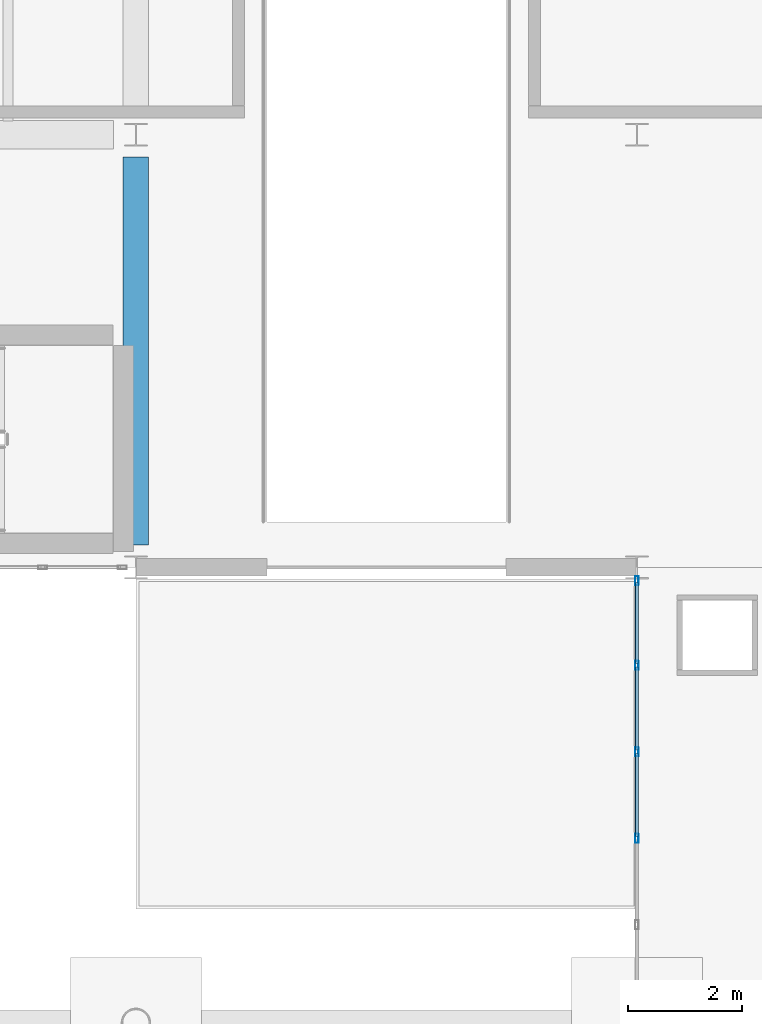
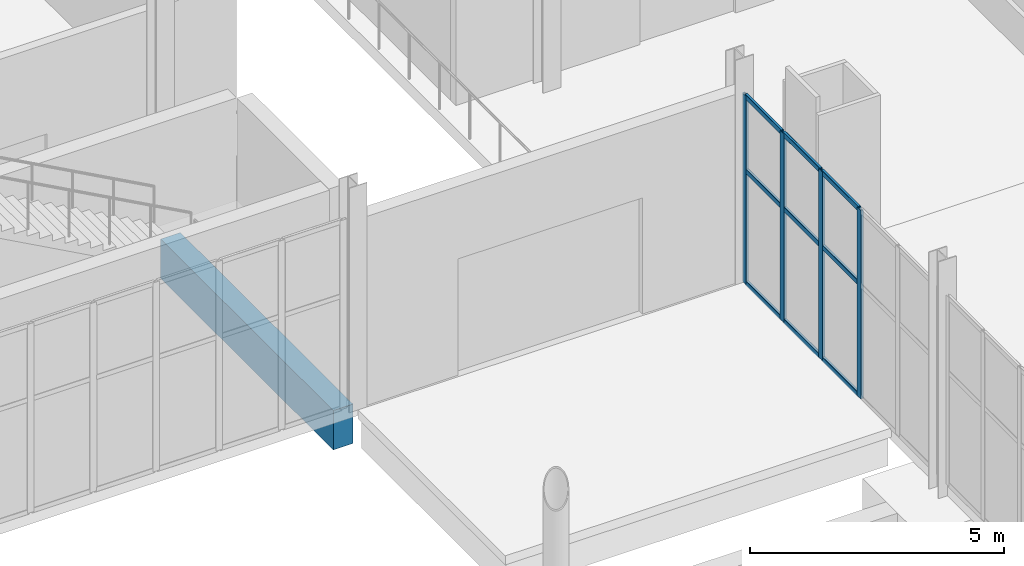
# One storey, part 58 of 95: 13 members, 1 beam, 1 element without a shape of its own.
"""IFC4 building model written with IfcOpenShell, lengths in metres."""

from ifc_helpers import new_model, si_unit, direction, frame, origin, origin_2d, place, context, subcontext, project, spatial, rectangle, hollow_rectangle, extrude, material, material_profile, profile_set, type_object, element, aggregate, save


model = new_model("IFC4")

# Units and contexts
model_context = context("Model", 3, precision=1e-05, world=origin(), true_north=direction((0.0, 1.0)))
body_context = subcontext(model_context, "Body", "Model", "MODEL_VIEW")
ifc_project = project(units=[si_unit("LENGTHUNIT", "METRE"), si_unit("AREAUNIT", "SQUARE_METRE"), si_unit("VOLUMEUNIT", "CUBIC_METRE"), si_unit("PLANEANGLEUNIT", "RADIAN"), si_unit("MASSUNIT", "GRAM", prefix="KILO")], contexts=[model_context])

# Site, building, storey
site_placement = place(None, origin())
site = spatial("IfcSite", under=ifc_project, at=site_placement, CompositionType="ELEMENT")
building_placement = place(site_placement, origin())
building = spatial("IfcBuilding", under=site, at=building_placement, Name="Shengluoqiao Park Theatre", CompositionType="ELEMENT")
storey_placement = place(building_placement, origin())
storey = spatial("IfcBuildingStorey", under=building, at=storey_placement, Name="L00", CompositionType="ELEMENT", Elevation=0.0)

# Curtain wall, members
ifc_material_1 = material(Name="Aluminium 6063-T6", Category="aluminium")
curtain_wall_type = type_object("IfcCurtainWallType", Name="ENV-CW-COURT", PredefinedType="NOTDEFINED", material=ifc_material_1)
curtain_wall_placement = place(storey_placement, origin())
curtain_wall = element("IfcCurtainWall", 1, at=curtain_wall_placement, inside=storey, type_object=curtain_wall_type, Name="L00 Curtain Wall CWX-L00-0177", PredefinedType="NOTDEFINED")
ifc_material_profile_1 = material_profile(ifc_material_1, hollow_rectangle(XDim=0.06005859375, YDim=0.159912109375, WallThickness=0.00390625, InnerFilletRadius=0.00390625, OuterFilletRadius=0.008056640625, at=origin_2d()), Name="ALU MULLION 160x60x4")
ifc_profile_set_1 = profile_set([ifc_material_profile_1], Name="Aluminium 6063-T6")
member_type_1 = type_object("IfcMemberType", Name="ENV-MUL-160", PredefinedType="MULLION", material=ifc_profile_set_1)
member_1_placement = place(storey_placement, frame((157.199951171875, 79.24072265625, 0.0), z_axis=(0.0, 0.0, 1.0), x_axis=(-1.0, 0.0, 0.0)))
member_1 = element("IfcMember", 2, at=member_1_placement, type_object=member_type_1, Name="CW-05 mullion 3", PredefinedType="MULLION", context=body_context, shape_type="SweptSolid", body=[
    extrude(hollow_rectangle(XDim=0.06005859375, YDim=0.159912109375, WallThickness=0.00390625, InnerFilletRadius=0.00390625, OuterFilletRadius=0.008056640625, at=origin_2d()), origin(), (0.0, 0.0, 1.0), 4.5419921875),
])
member_2_placement = place(storey_placement, frame((157.199951171875, 80.75927734375, 0.0), z_axis=(0.0, 0.0, 1.0), x_axis=(-1.0, 0.0, 0.0)))
member_2 = element("IfcMember", 3, at=member_2_placement, type_object=member_type_1, Name="CW-05 mullion 4", PredefinedType="MULLION", context=body_context, shape_type="SweptSolid", body=[
    extrude(hollow_rectangle(XDim=0.06005859375, YDim=0.159912109375, WallThickness=0.00390625, InnerFilletRadius=0.00390625, OuterFilletRadius=0.008056640625, at=origin_2d()), origin(), (0.0, 0.0, 1.0), 4.5419921875),
])
member_3_placement = place(storey_placement, frame((157.199951171875, 82.277587890625, 0.0), z_axis=(0.0, 0.0, 1.0), x_axis=(-1.0, 0.0, 0.0)))
member_3 = element("IfcMember", 4, at=member_3_placement, type_object=member_type_1, Name="CW-05 mullion 5", PredefinedType="MULLION", context=body_context, shape_type="SweptSolid", body=[
    extrude(hollow_rectangle(XDim=0.06005859375, YDim=0.159912109375, WallThickness=0.00390625, InnerFilletRadius=0.00390625, OuterFilletRadius=0.008056640625, at=origin_2d()), origin(), (0.0, 0.0, 1.0), 4.5419921875),
])
member_4_placement = place(storey_placement, frame((157.199951171875, 83.76611328125, 0.0), z_axis=(0.0, 0.0, 1.0), x_axis=(-1.0, 0.0, 0.0)))
member_4 = element("IfcMember", 5, at=member_4_placement, type_object=member_type_1, Name="CW-05 mullion 6", PredefinedType="MULLION", context=body_context, shape_type="SweptSolid", body=[
    extrude(hollow_rectangle(XDim=0.06005859375, YDim=0.159912109375, WallThickness=0.00390625, InnerFilletRadius=0.00390625, OuterFilletRadius=0.008056640625, at=origin_2d()), origin(), (0.0, 0.0, 1.0), 4.5419921875),
])
ifc_material_profile_2 = material_profile(ifc_material_1, hollow_rectangle(XDim=0.06005859375, YDim=0.1201171875, WallThickness=0.00390625, InnerFilletRadius=0.00390625, OuterFilletRadius=0.008056640625, at=origin_2d()), Name="ALU TRANSOM 120x60x4")
ifc_profile_set_2 = profile_set([ifc_material_profile_2], Name="Aluminium 6063-T6")
member_type_2 = type_object("IfcMemberType", Name="ENV-TRN-120", PredefinedType="USERDEFINED", material=ifc_profile_set_2)
member_5_placement = place(storey_placement, frame((157.199951171875, 79.270751953125, 0.030029296875), z_axis=(0.0, 1.0, 0.0), x_axis=(-1.0, 0.0, 0.0)))
member_5 = element("IfcMember", 6, at=member_5_placement, type_object=member_type_2, Name="CW-05 transom 3.1", ObjectType="TRANSOM", PredefinedType="USERDEFINED", context=body_context, shape_type="SweptSolid", body=[
    extrude(hollow_rectangle(XDim=0.06005859375, YDim=0.1201171875, WallThickness=0.00390625, InnerFilletRadius=0.00390625, OuterFilletRadius=0.008056640625, at=origin_2d()), origin(), (0.0, 0.0, 1.0), 1.45849609375),
])
member_6_placement = place(storey_placement, frame((157.199951171875, 79.270751953125, 2.72509765625), z_axis=(0.0, 1.0, 0.0), x_axis=(-1.0, 0.0, 0.0)))
member_6 = element("IfcMember", 7, at=member_6_placement, type_object=member_type_2, Name="CW-05 transom 3.2", ObjectType="TRANSOM", PredefinedType="USERDEFINED", context=body_context, shape_type="SweptSolid", body=[
    extrude(hollow_rectangle(XDim=0.06005859375, YDim=0.1201171875, WallThickness=0.00390625, InnerFilletRadius=0.00390625, OuterFilletRadius=0.008056640625, at=origin_2d()), origin(), (0.0, 0.0, 1.0), 1.45849609375),
])
member_7_placement = place(storey_placement, frame((157.199951171875, 79.270751953125, 4.511962890625), z_axis=(0.0, 1.0, 0.0), x_axis=(-1.0, 0.0, 0.0)))
member_7 = element("IfcMember", 8, at=member_7_placement, type_object=member_type_2, Name="CW-05 transom 3.3", ObjectType="TRANSOM", PredefinedType="USERDEFINED", context=body_context, shape_type="SweptSolid", body=[
    extrude(hollow_rectangle(XDim=0.06005859375, YDim=0.1201171875, WallThickness=0.00390625, InnerFilletRadius=0.00390625, OuterFilletRadius=0.008056640625, at=origin_2d()), origin(), (0.0, 0.0, 1.0), 1.45849609375),
])
member_8_placement = place(storey_placement, frame((157.199951171875, 80.789306640625, 0.030029296875), z_axis=(0.0, 1.0, 0.0), x_axis=(-1.0, 0.0, 0.0)))
member_8 = element("IfcMember", 9, at=member_8_placement, type_object=member_type_2, Name="CW-05 transom 4.1", ObjectType="TRANSOM", PredefinedType="USERDEFINED", context=body_context, shape_type="SweptSolid", body=[
    extrude(hollow_rectangle(XDim=0.06005859375, YDim=0.1201171875, WallThickness=0.00390625, InnerFilletRadius=0.00390625, OuterFilletRadius=0.008056640625, at=origin_2d()), origin(), (0.0, 0.0, 1.0), 1.458251953125),
])
member_9_placement = place(storey_placement, frame((157.199951171875, 80.789306640625, 2.72509765625), z_axis=(0.0, 1.0, 0.0), x_axis=(-1.0, 0.0, 0.0)))
member_9 = element("IfcMember", 10, at=member_9_placement, type_object=member_type_2, Name="CW-05 transom 4.2", ObjectType="TRANSOM", PredefinedType="USERDEFINED", context=body_context, shape_type="SweptSolid", body=[
    extrude(hollow_rectangle(XDim=0.06005859375, YDim=0.1201171875, WallThickness=0.00390625, InnerFilletRadius=0.00390625, OuterFilletRadius=0.008056640625, at=origin_2d()), origin(), (0.0, 0.0, 1.0), 1.458251953125),
])
member_10_placement = place(storey_placement, frame((157.199951171875, 80.789306640625, 4.511962890625), z_axis=(0.0, 1.0, 0.0), x_axis=(-1.0, 0.0, 0.0)))
member_10 = element("IfcMember", 11, at=member_10_placement, type_object=member_type_2, Name="CW-05 transom 4.3", ObjectType="TRANSOM", PredefinedType="USERDEFINED", context=body_context, shape_type="SweptSolid", body=[
    extrude(hollow_rectangle(XDim=0.06005859375, YDim=0.1201171875, WallThickness=0.00390625, InnerFilletRadius=0.00390625, OuterFilletRadius=0.008056640625, at=origin_2d()), origin(), (0.0, 0.0, 1.0), 1.458251953125),
])
member_11_placement = place(storey_placement, frame((157.199951171875, 82.3076171875, 0.030029296875), z_axis=(0.0, 1.0, 0.0), x_axis=(-1.0, 0.0, 0.0)))
member_11 = element("IfcMember", 12, at=member_11_placement, type_object=member_type_2, Name="CW-05 transom 5.1", ObjectType="TRANSOM", PredefinedType="USERDEFINED", context=body_context, shape_type="SweptSolid", body=[
    extrude(hollow_rectangle(XDim=0.06005859375, YDim=0.1201171875, WallThickness=0.00390625, InnerFilletRadius=0.00390625, OuterFilletRadius=0.008056640625, at=origin_2d()), origin(), (0.0, 0.0, 1.0), 1.428466796875),
])
member_12_placement = place(storey_placement, frame((157.199951171875, 82.3076171875, 2.72509765625), z_axis=(0.0, 1.0, 0.0), x_axis=(-1.0, 0.0, 0.0)))
member_12 = element("IfcMember", 13, at=member_12_placement, type_object=member_type_2, Name="CW-05 transom 5.2", ObjectType="TRANSOM", PredefinedType="USERDEFINED", context=body_context, shape_type="SweptSolid", body=[
    extrude(hollow_rectangle(XDim=0.06005859375, YDim=0.1201171875, WallThickness=0.00390625, InnerFilletRadius=0.00390625, OuterFilletRadius=0.008056640625, at=origin_2d()), origin(), (0.0, 0.0, 1.0), 1.428466796875),
])
member_13_placement = place(storey_placement, frame((157.199951171875, 82.3076171875, 4.511962890625), z_axis=(0.0, 1.0, 0.0), x_axis=(-1.0, 0.0, 0.0)))
member_13 = element("IfcMember", 14, at=member_13_placement, type_object=member_type_2, Name="CW-05 transom 5.3", ObjectType="TRANSOM", PredefinedType="USERDEFINED", context=body_context, shape_type="SweptSolid", body=[
    extrude(hollow_rectangle(XDim=0.06005859375, YDim=0.1201171875, WallThickness=0.00390625, InnerFilletRadius=0.00390625, OuterFilletRadius=0.008056640625, at=origin_2d()), origin(), (0.0, 0.0, 1.0), 1.428466796875),
])
aggregate(curtain_wall, [member_1, member_2, member_3, member_4, member_5, member_6, member_7, member_8, member_9, member_10, member_11, member_12, member_13])

# Beam
ifc_material_2 = material(Name="Concrete C40", Category="concrete")
ifc_material_profile_3 = material_profile(ifc_material_2, rectangle(XDim=0.449951171875, YDim=0.949951171875, at=origin_2d()), Name="RC BEAM 450x950")
ifc_profile_set_3 = profile_set([ifc_material_profile_3], Name="Concrete C40")
beam_type = type_object("IfcBeamType", Name="STR-BM-B-RC4595", PredefinedType="BEAM", material=ifc_profile_set_3)
beam_placement = place(storey_placement, frame((148.39990234375, 84.39404296875, -0.77490234375), z_axis=(0.0, 1.0, 0.0), x_axis=(-1.0, 0.0, 0.0)))
element("IfcBeam", 15, at=beam_placement, inside=storey, type_object=beam_type, Name="L00 Transverse Girder 00261", PredefinedType="BEAM", context=body_context, shape_type="SweptSolid", body=[
    extrude(rectangle(XDim=0.449951171875, YDim=0.949951171875, at=origin_2d()), origin(), (0.0, 0.0, 1.0), 6.81201171875),
])

save(model, "model.ifc")
